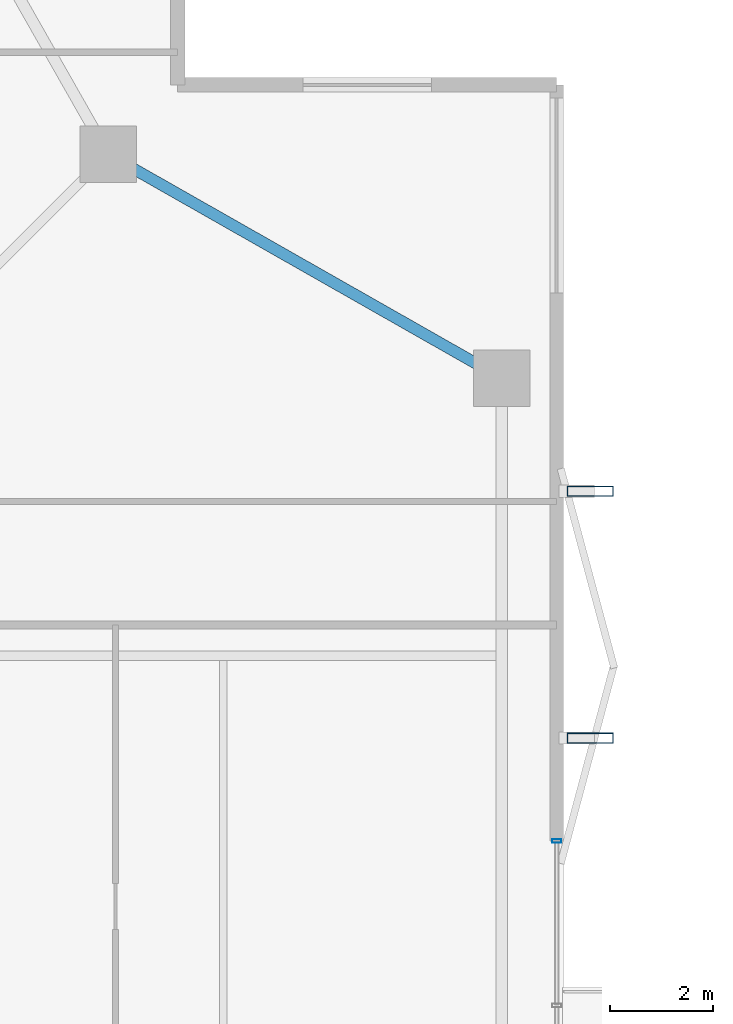
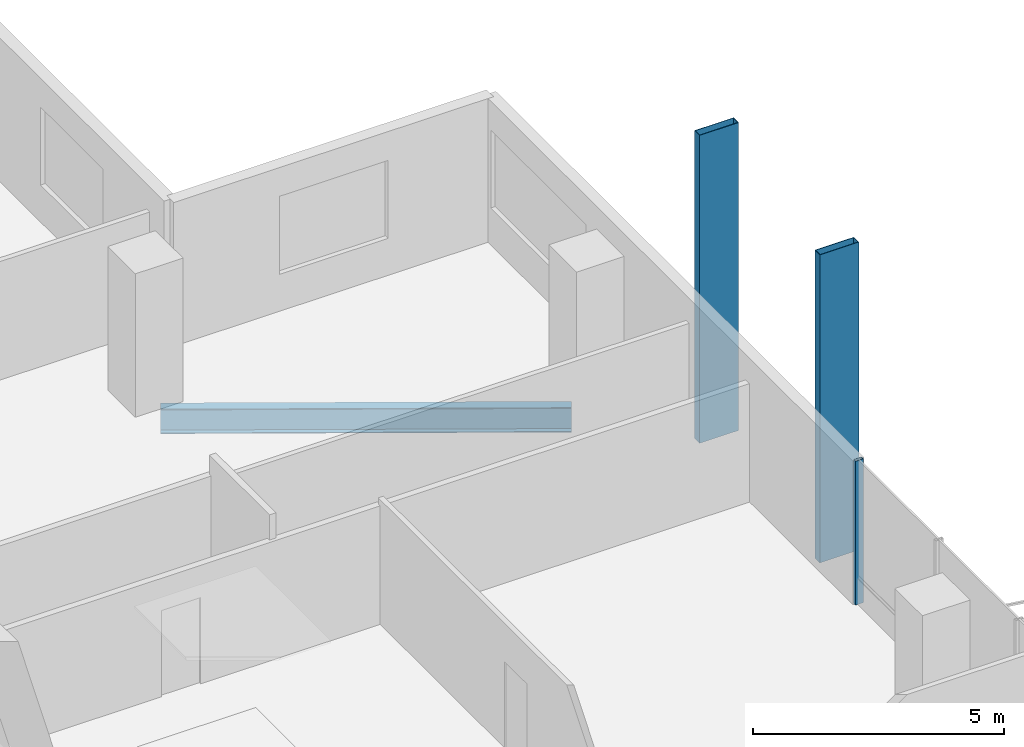
# One storey, part 13 of 24: 3 members, 1 beam, 1 element without a shape of its own.
"""IFC4 building model written with IfcOpenShell, lengths in metres."""

import ifcopenshell
import ifcopenshell.guid

model = None  # the IFC model being written
_history = None  # IfcOwnerHistory: only IFC2X3 demands one
_inside = {}  # id of a spatial element -> (the spatial element, [elements in it])
_under = {}  # id of a project, library or spatial element -> (it, [spatial elements below it])
_declared = {}  # id of a project -> (the project, [libraries it declares])
_typed = {}  # id of a type object -> (the type object, [elements of that type])
_made_of = {}  # id of a material, layer set ... -> (it, [elements and type objects made of it])


def new_model(schema):
    """Start an empty IFC model of exactly this schema.

    Asked for "IFC4X3", IfcOpenShell would pick the latest addendum, in which some entities
    have other attributes; the version numbers below select the first issue.
    IFC2X3 requires an IfcOwnerHistory on every rooted entity: one is made here for all.
    """
    global model, _history
    if schema == "IFC4X3":
        model = ifcopenshell.file(schema_version=(4, 3, 0, 0))
    else:
        model = ifcopenshell.file(schema=schema)
    _inside.clear()
    _under.clear()
    _declared.clear()
    _typed.clear()
    _made_of.clear()
    _history = None
    if model.schema == "IFC2X3":
        org = make("IfcOrganization", Name="unknown")
        user = make(
            "IfcPersonAndOrganization",
            ThePerson=make("IfcPerson", FamilyName="unknown"),
            TheOrganization=org,
        )
        app = make(
            "IfcApplication",
            ApplicationDeveloper=org,
            Version="unknown",
            ApplicationFullName="unknown",
            ApplicationIdentifier="unknown",
        )
        _history = make(
            "IfcOwnerHistory",
            OwningUser=user,
            OwningApplication=app,
            ChangeAction="ADDED",
            CreationDate=0,
        )
    return model


def make(cls, **values):
    """One entity of the class cls with the attributes given. An attribute that is None is left unset."""
    return model.create_entity(
        cls, **{name: value for name, value in values.items() if value is not None}
    )


def rooted(cls, **values):
    """An entity with a GlobalId (a new one), such as an element, a storey or a relation."""
    return make(cls, GlobalId=ifcopenshell.guid.new(), OwnerHistory=_history, **values)


def si_unit(unit_type, name, prefix=None):
    """IfcSIUnit, for example si_unit("LENGTHUNIT", "METRE", prefix="MILLI")."""
    return make("IfcSIUnit", UnitType=unit_type, Prefix=prefix, Name=name)


def assignment(units):
    """IfcUnitAssignment: the units of a project."""
    return None if units is None else make("IfcUnitAssignment", Units=units)


def point(xyz):
    """IfcCartesianPoint."""
    return None if xyz is None else make("IfcCartesianPoint", Coordinates=xyz)


def direction(xyz):
    """IfcDirection."""
    return None if xyz is None else make("IfcDirection", DirectionRatios=xyz)


def frame(location, z_axis=None, x_axis=None):
    """IfcAxis2Placement3D, a coordinate frame: its origin and axes. An axis left out is left unset."""
    return make(
        "IfcAxis2Placement3D",
        Location=point(location),
        Axis=direction(z_axis),
        RefDirection=direction(x_axis),
    )


def frame_2d(location, x_axis=None):
    """IfcAxis2Placement2D, a coordinate frame in the plane: its origin and x axis."""
    return make(
        "IfcAxis2Placement2D", Location=point(location), RefDirection=direction(x_axis)
    )


def origin():
    """The frame at (0, 0, 0) with its axes left unset."""
    return frame((0.0, 0.0, 0.0))


def origin_2d():
    """The frame at (0, 0) in the plane with its x axis left unset."""
    return frame_2d((0.0, 0.0))


def place(relative_to, where):
    """IfcLocalPlacement: puts the frame where relative to a parent placement (None: the world)."""
    return make(
        "IfcLocalPlacement", PlacementRelTo=relative_to, RelativePlacement=where
    )


def context(
    kind, dimensions, precision=None, world=None, true_north=None, identifier=None
):
    """IfcGeometricRepresentationContext, for example the 3D "Model" context."""
    return make(
        "IfcGeometricRepresentationContext",
        ContextIdentifier=identifier,
        ContextType=kind,
        CoordinateSpaceDimension=dimensions,
        Precision=precision,
        WorldCoordinateSystem=world,
        TrueNorth=true_north,
    )


def subcontext(parent, identifier, kind, view, scale=None):
    """IfcGeometricRepresentationSubContext, for example "Body" below "Model"."""
    return make(
        "IfcGeometricRepresentationSubContext",
        ContextIdentifier=identifier,
        ContextType=kind,
        ParentContext=parent,
        TargetScale=scale,
        TargetView=view,
    )


def project(units=None, contexts=None):
    """IfcProject with its units and contexts."""
    return rooted(
        "IfcProject",
        Name="project",
        RepresentationContexts=contexts,
        UnitsInContext=assignment(units),
    )


def spatial(cls, under=None, at=None, **own):
    """A site, building, storey or space (cls), placed at a placement, below another one or the project."""
    s = rooted(cls, ObjectPlacement=at, **own)
    if under is not None:
        _under.setdefault(under.id(), (under, []))[1].append(s)
    return s


def profile(cls, at=None, kind="AREA", **sizes):
    """A parametric profile (cls). Its sizes go by their IFC names, for example OverallWidth=200.0."""
    return make(cls, ProfileType=kind, Position=at, **sizes)


def hollow_rectangle(**sizes):
    """IfcRectangleHollowProfileDef."""
    return profile("IfcRectangleHollowProfileDef", **sizes)


def i_section(**sizes):
    """IfcIShapeProfileDef."""
    return profile("IfcIShapeProfileDef", **sizes)


def extrude(swept, where, along, depth):
    """IfcExtrudedAreaSolid: the profile swept, set in the frame where, extruded along a direction by depth."""
    return make(
        "IfcExtrudedAreaSolid",
        SweptArea=swept,
        Position=where,
        ExtrudedDirection=direction(along),
        Depth=depth,
    )


def shape(context_of_items, identifier, shape_type, items):
    """IfcShapeRepresentation: the items that make up one representation, for example the "Body"."""
    return make(
        "IfcShapeRepresentation",
        ContextOfItems=context_of_items,
        RepresentationIdentifier=identifier,
        RepresentationType=shape_type,
        Items=items,
    )


def material(Name=None, Category=None):
    """IfcMaterial."""
    return make("IfcMaterial", Name=Name, Category=Category)


def layer(
    of_material, thickness, ventilated=None, Name=None, Category=None, Priority=None
):
    """IfcMaterialLayer: one layer of a wall or slab, of a material (None: an air gap)."""
    return make(
        "IfcMaterialLayer",
        Material=of_material,
        LayerThickness=thickness,
        IsVentilated=ventilated,
        Name=Name,
        Category=Category,
        Priority=Priority,
    )


def layer_set(layers, Name=None):
    """IfcMaterialLayerSet."""
    return make("IfcMaterialLayerSet", MaterialLayers=layers, LayerSetName=Name)


def material_profile(
    of_material, cross_section, Name=None, Category=None, Priority=None
):
    """IfcMaterialProfile: a cross section and its material."""
    return make(
        "IfcMaterialProfile",
        Name=Name,
        Material=of_material,
        Profile=cross_section,
        Priority=Priority,
        Category=Category,
    )


def profile_set(profiles, Name=None, composite=None):
    """IfcMaterialProfileSet."""
    return make(
        "IfcMaterialProfileSet",
        Name=Name,
        MaterialProfiles=profiles,
        CompositeProfile=composite,
    )


def made_of(thing, what):
    """Note that an element or type object is made of a material, layer set ...; save() writes the relation."""
    if what is not None:
        _made_of.setdefault(what.id(), (what, []))[1].append(thing)
    return thing


def type_object(cls, material=None, **own):
    """A type object (cls), such as IfcWallType, which elements share."""
    return made_of(rooted(cls, **own), material)


def element(
    cls,
    number,
    at=None,
    inside=None,
    cuts=None,
    type_object=None,
    material=None,
    context=None,
    identifier="Body",
    shape_type=None,
    held_by="IfcProductDefinitionShape",
    body=None,
    shapes=None,
    **own,
):
    """One element of the class cls, such as IfcWall. Its Tag is "e" and its number.

    at: its placement. inside: the storey or other place that contains it. cuts: it is an
    opening in that element (IfcRelVoidsElement). A single representation is given by context,
    identifier, shape_type and body (its items); several are given by shapes. held_by: the class
    of the entity that holds the representations. save() writes the other relations.
    """
    e = rooted(cls, Tag="e%d" % number, ObjectPlacement=at, **own)
    if body is not None:
        shapes = [shape(context, identifier, shape_type, body)]
    if shapes is not None:
        e.Representation = make(held_by, Representations=shapes)
    if inside is not None:
        _inside.setdefault(inside.id(), (inside, []))[1].append(e)
    if cuts is not None:
        rooted(
            "IfcRelVoidsElement", RelatingBuildingElement=cuts, RelatedOpeningElement=e
        )
    if type_object is not None:
        _typed.setdefault(type_object.id(), (type_object, []))[1].append(e)
    return made_of(e, material)


def aggregate(whole, parts):
    """IfcRelAggregates: a whole, such as a stair, and the parts it consists of."""
    return rooted("IfcRelAggregates", RelatingObject=whole, RelatedObjects=parts)


def save(model, path):
    """Write the relations noted so far, then the file.

    IfcRelAggregates (storeys below a building ...), IfcRelContainedInSpatialStructure (elements
    in a storey), IfcRelDefinesByType, IfcRelAssociatesMaterial and IfcRelDeclares: one each for
    every whole, place, type object, material and project.
    """
    for whole, parts in _under.values():
        aggregate(whole, parts)
    for where, things in _inside.values():
        rooted(
            "IfcRelContainedInSpatialStructure",
            RelatedElements=things,
            RelatingStructure=where,
        )
    for kind, things in _typed.values():
        rooted("IfcRelDefinesByType", RelatedObjects=things, RelatingType=kind)
    for what, things in _made_of.values():
        rooted("IfcRelAssociatesMaterial", RelatedObjects=things, RelatingMaterial=what)
    for by, libraries in _declared.values():
        rooted("IfcRelDeclares", RelatingContext=by, RelatedDefinitions=libraries)
    model.write(path)


model = new_model("IFC4")

# Units and contexts
model_context = context("Model", 3, precision=1e-05, world=origin(), true_north=direction((0.0, 1.0)))
body_context = subcontext(model_context, "Body", "Model", "MODEL_VIEW")
ifc_project = project(units=[si_unit("LENGTHUNIT", "METRE"), si_unit("AREAUNIT", "SQUARE_METRE"), si_unit("VOLUMEUNIT", "CUBIC_METRE"), si_unit("PLANEANGLEUNIT", "RADIAN"), si_unit("MASSUNIT", "GRAM", prefix="KILO")], contexts=[model_context])

# Site, building, storey
site_placement = place(None, origin())
site = spatial("IfcSite", under=ifc_project, at=site_placement, CompositionType="ELEMENT")
building_placement = place(site_placement, origin())
building = spatial("IfcBuilding", under=site, at=building_placement, Name="Belovzor Exchange Tower", CompositionType="ELEMENT")
storey_placement = place(building_placement, frame((0.0, 0.0, 218.699951171875)))
storey = spatial("IfcBuildingStorey", under=building, at=storey_placement, Name="L54", CompositionType="ELEMENT", Elevation=218.699951171875)

# Members
ifc_material_1 = material(Name="Extruded Architectural Terracotta on Steel S355 Carrier", Category="masonry")
ifc_material_profile_1 = material_profile(ifc_material_1, hollow_rectangle(XDim=0.199951171875, YDim=0.89990234375, WallThickness=0.011962890625, at=origin_2d()))
ifc_profile_set_1 = profile_set([ifc_material_profile_1], Name="Extruded Architectural Terracotta on Steel S355 Carrier")
member_type_1 = type_object("IfcMemberType", Name="Sweeping Terracotta Baguette Fin Assembly 950", PredefinedType="USERDEFINED", material=ifc_profile_set_1)
for number, where, z_axis, x_axis, name in (
    (1, (56.324951171875, 35.60009765625, -0.25), (0.0, 0.0, 1.0), (0.0, 1.0, 0.0), "FIN-TC095 Terracotta Facade Fin L54 E3"),
    (2, (56.324951171875, 40.39990234375, -0.25), (0.0, 0.0, 1.0), (0.0, 1.0, 0.0), "FIN-TC095 Terracotta Facade Fin L54 E4"),
):
    element("IfcMember", number, at=place(storey_placement, frame(where, z_axis=z_axis, x_axis=x_axis)), inside=storey, type_object=member_type_1, Name=name, ObjectType="FIN", PredefinedType="USERDEFINED", context=body_context, shape_type="SweptSolid", body=[
        extrude(hollow_rectangle(XDim=0.199951171875, YDim=0.89990234375, WallThickness=0.011962890625, at=origin_2d()), origin(), (0.0, 0.0, 1.0), 7.5),
    ])

# Curtain wall, member
ifc_material_2 = material(Name="Anodised Aluminium Framing", Category="aluminium")
ifc_layer = layer(ifc_material_2, 0.179931640625)
ifc_layer_set = layer_set([ifc_layer], Name="Anodised Aluminium Framing")
curtain_wall_type = type_object("IfcCurtainWallType", Name="Recessed Loggia Low-Iron Triple-Glazed Curtain Wall", PredefinedType="NOTDEFINED", material=ifc_layer_set)
curtain_wall_placement = place(storey_placement, origin())
curtain_wall = element("IfcCurtainWall", 3, at=curtain_wall_placement, inside=storey, type_object=curtain_wall_type, Name="CW3 Recessed Loggia Low-Iron Triple-Glazed Curtain Wall L54", PredefinedType="NOTDEFINED")
ifc_material_3 = material(Name="Steel S355", Category="steel")
ifc_material_profile_2 = material_profile(ifc_material_3, hollow_rectangle(XDim=0.074951171875, YDim=0.179931640625, WallThickness=0.0048828125, at=origin_2d()))
ifc_profile_set_2 = profile_set([ifc_material_profile_2], Name="Steel S355")
member_type_2 = type_object("IfcMemberType", Name="Thermally Broken Curtain Wall Mullion 180x75", PredefinedType="MULLION", material=ifc_profile_set_2)
member_placement = place(storey_placement, frame((55.669921875, 33.60009765625, 0.0), z_axis=(0.0, 0.0, 1.0), x_axis=(0.0, -1.0, 0.0)))
member = element("IfcMember", 4, at=member_placement, type_object=member_type_2, Name="CW-M180 Curtain Wall Mullion 1", PredefinedType="MULLION", context=body_context, shape_type="SweptSolid", body=[
    extrude(hollow_rectangle(XDim=0.074951171875, YDim=0.179931640625, WallThickness=0.0048828125, at=origin_2d()), origin(), (0.0, 0.0, 1.0), 3.5),
])
aggregate(curtain_wall, [member])

# Beam
ifc_material_4 = material(Name="Steel S355", Category="steel")
ifc_material_profile_3 = material_profile(ifc_material_4, i_section(OverallWidth=0.219970703125, OverallDepth=0.60009765625, WebThickness=0.011962890625, FlangeThickness=0.01904296875, at=origin_2d()))
ifc_profile_set_3 = profile_set([ifc_material_profile_3], Name="Steel S355")
beam_type = type_object("IfcBeamType", Name="Zone 4 Flare Primary Girder IPE 600", PredefinedType="BEAM", material=ifc_profile_set_3)
beam_placement = place(storey_placement, frame((54.3369140625, 42.75, -0.550048828125), z_axis=(-0.869335547884, 0.494222323641, 0.0), x_axis=(-0.494222323641, -0.869335547884, 0.0)))
element("IfcBeam", 5, at=beam_placement, inside=storey, type_object=beam_type, Name="FG-Z4 Zone 4 Flare Primary Girder IPE 600", PredefinedType="BEAM", context=body_context, shape_type="SweptSolid", body=[
    extrude(i_section(OverallWidth=0.219970703125, OverallDepth=0.60009765625, WebThickness=0.011962890625, FlangeThickness=0.01904296875, at=origin_2d()), origin(), (0.0, 0.0, 1.0), 8.19482421875),
])

save(model, "model.ifc")
